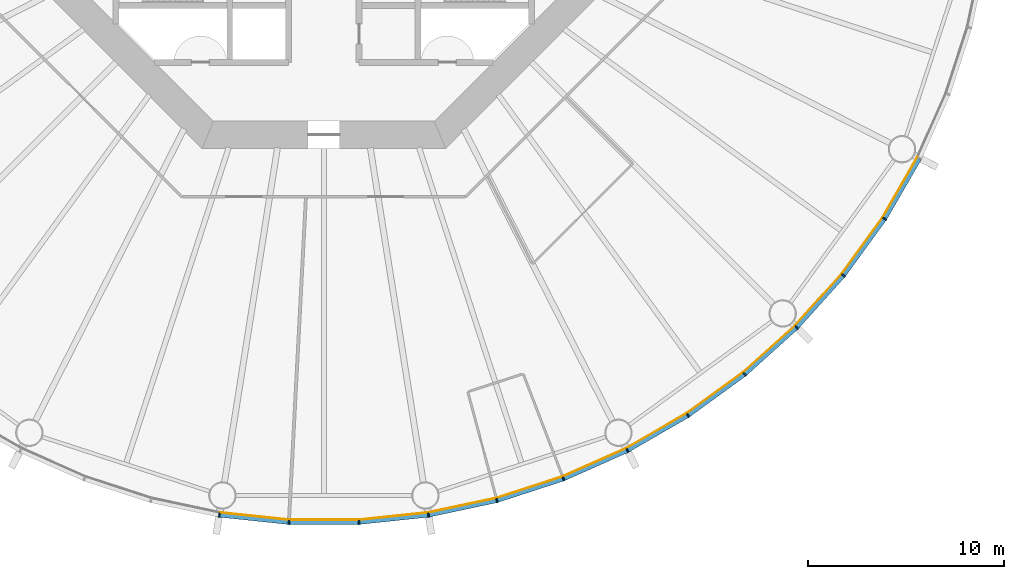
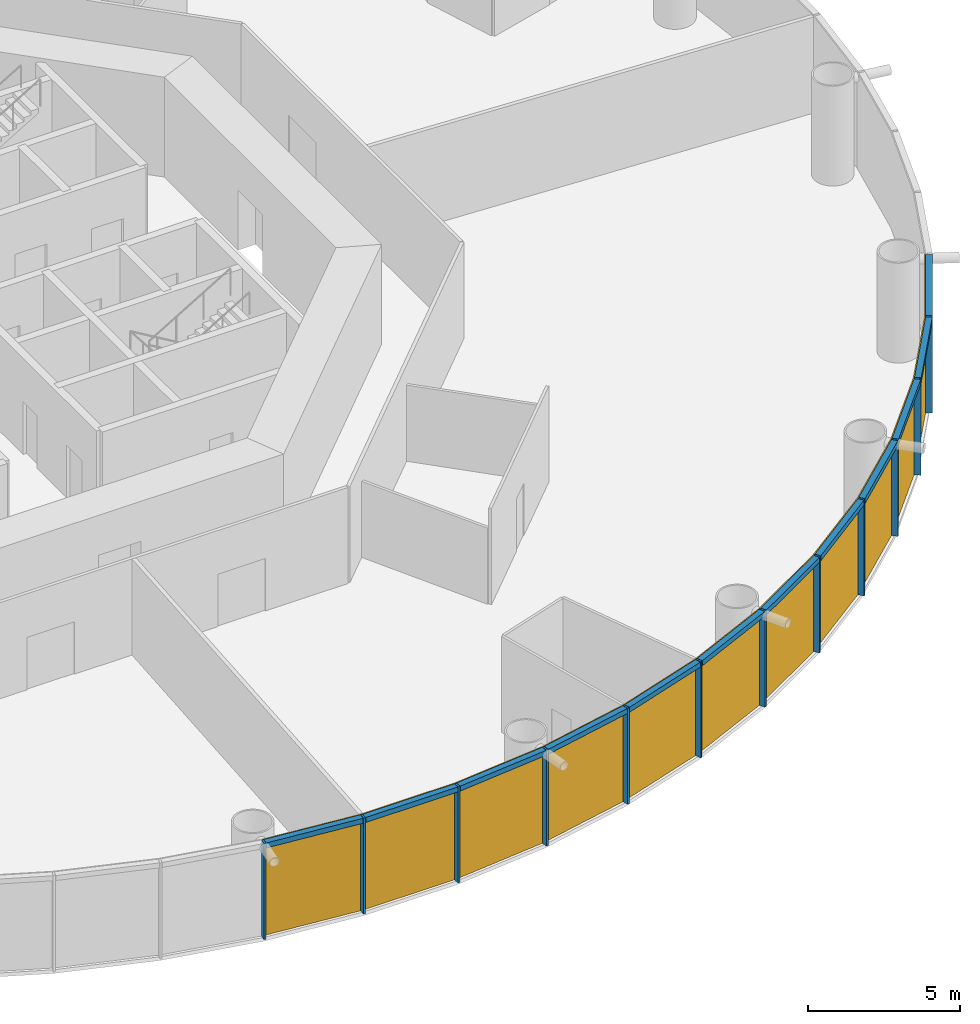
# One storey, part 7 of 12: 24 members, 4 curtain walls.
"""IFC4 building model written with IfcOpenShell, lengths in metres."""

import ifcopenshell
import ifcopenshell.guid

model = None  # the IFC model being written
_history = None  # IfcOwnerHistory: only IFC2X3 demands one
_inside = {}  # id of a spatial element -> (the spatial element, [elements in it])
_under = {}  # id of a project, library or spatial element -> (it, [spatial elements below it])
_declared = {}  # id of a project -> (the project, [libraries it declares])
_typed = {}  # id of a type object -> (the type object, [elements of that type])
_made_of = {}  # id of a material, layer set ... -> (it, [elements and type objects made of it])


def new_model(schema):
    """Start an empty IFC model of exactly this schema.

    Asked for "IFC4X3", IfcOpenShell would pick the latest addendum, in which some entities
    have other attributes; the version numbers below select the first issue.
    IFC2X3 requires an IfcOwnerHistory on every rooted entity: one is made here for all.
    """
    global model, _history
    if schema == "IFC4X3":
        model = ifcopenshell.file(schema_version=(4, 3, 0, 0))
    else:
        model = ifcopenshell.file(schema=schema)
    _inside.clear()
    _under.clear()
    _declared.clear()
    _typed.clear()
    _made_of.clear()
    _history = None
    if model.schema == "IFC2X3":
        org = make("IfcOrganization", Name="unknown")
        user = make(
            "IfcPersonAndOrganization",
            ThePerson=make("IfcPerson", FamilyName="unknown"),
            TheOrganization=org,
        )
        app = make(
            "IfcApplication",
            ApplicationDeveloper=org,
            Version="unknown",
            ApplicationFullName="unknown",
            ApplicationIdentifier="unknown",
        )
        _history = make(
            "IfcOwnerHistory",
            OwningUser=user,
            OwningApplication=app,
            ChangeAction="ADDED",
            CreationDate=0,
        )
    return model


def make(cls, **values):
    """One entity of the class cls with the attributes given. An attribute that is None is left unset."""
    return model.create_entity(
        cls, **{name: value for name, value in values.items() if value is not None}
    )


def rooted(cls, **values):
    """An entity with a GlobalId (a new one), such as an element, a storey or a relation."""
    return make(cls, GlobalId=ifcopenshell.guid.new(), OwnerHistory=_history, **values)


def si_unit(unit_type, name, prefix=None):
    """IfcSIUnit, for example si_unit("LENGTHUNIT", "METRE", prefix="MILLI")."""
    return make("IfcSIUnit", UnitType=unit_type, Prefix=prefix, Name=name)


def assignment(units):
    """IfcUnitAssignment: the units of a project."""
    return None if units is None else make("IfcUnitAssignment", Units=units)


def point(xyz):
    """IfcCartesianPoint."""
    return None if xyz is None else make("IfcCartesianPoint", Coordinates=xyz)


def direction(xyz):
    """IfcDirection."""
    return None if xyz is None else make("IfcDirection", DirectionRatios=xyz)


def frame(location, z_axis=None, x_axis=None):
    """IfcAxis2Placement3D, a coordinate frame: its origin and axes. An axis left out is left unset."""
    return make(
        "IfcAxis2Placement3D",
        Location=point(location),
        Axis=direction(z_axis),
        RefDirection=direction(x_axis),
    )


def frame_2d(location, x_axis=None):
    """IfcAxis2Placement2D, a coordinate frame in the plane: its origin and x axis."""
    return make(
        "IfcAxis2Placement2D", Location=point(location), RefDirection=direction(x_axis)
    )


def origin():
    """The frame at (0, 0, 0) with its axes left unset."""
    return frame((0.0, 0.0, 0.0))


def origin_2d():
    """The frame at (0, 0) in the plane with its x axis left unset."""
    return frame_2d((0.0, 0.0))


def place(relative_to, where):
    """IfcLocalPlacement: puts the frame where relative to a parent placement (None: the world)."""
    return make(
        "IfcLocalPlacement", PlacementRelTo=relative_to, RelativePlacement=where
    )


def context(
    kind, dimensions, precision=None, world=None, true_north=None, identifier=None
):
    """IfcGeometricRepresentationContext, for example the 3D "Model" context."""
    return make(
        "IfcGeometricRepresentationContext",
        ContextIdentifier=identifier,
        ContextType=kind,
        CoordinateSpaceDimension=dimensions,
        Precision=precision,
        WorldCoordinateSystem=world,
        TrueNorth=true_north,
    )


def subcontext(parent, identifier, kind, view, scale=None):
    """IfcGeometricRepresentationSubContext, for example "Body" below "Model"."""
    return make(
        "IfcGeometricRepresentationSubContext",
        ContextIdentifier=identifier,
        ContextType=kind,
        ParentContext=parent,
        TargetScale=scale,
        TargetView=view,
    )


def project(units=None, contexts=None):
    """IfcProject with its units and contexts."""
    return rooted(
        "IfcProject",
        Name="project",
        RepresentationContexts=contexts,
        UnitsInContext=assignment(units),
    )


def spatial(cls, under=None, at=None, **own):
    """A site, building, storey or space (cls), placed at a placement, below another one or the project."""
    s = rooted(cls, ObjectPlacement=at, **own)
    if under is not None:
        _under.setdefault(under.id(), (under, []))[1].append(s)
    return s


def polyline(points):
    """IfcPolyline through the points."""
    return make("IfcPolyline", Points=[point(p) for p in points])


def profile(cls, at=None, kind="AREA", **sizes):
    """A parametric profile (cls). Its sizes go by their IFC names, for example OverallWidth=200.0."""
    return make(cls, ProfileType=kind, Position=at, **sizes)


def rectangle(**sizes):
    """IfcRectangleProfileDef."""
    return profile("IfcRectangleProfileDef", **sizes)


def outline(outer, holes=None, kind="AREA"):
    """IfcArbitraryClosedProfileDef: a profile drawn as a closed curve; with holes, ...WithVoids."""
    if holes is None:
        return make("IfcArbitraryClosedProfileDef", ProfileType=kind, OuterCurve=outer)
    return make(
        "IfcArbitraryProfileDefWithVoids",
        ProfileType=kind,
        OuterCurve=outer,
        InnerCurves=holes,
    )


def extrude(swept, where, along, depth):
    """IfcExtrudedAreaSolid: the profile swept, set in the frame where, extruded along a direction by depth."""
    return make(
        "IfcExtrudedAreaSolid",
        SweptArea=swept,
        Position=where,
        ExtrudedDirection=direction(along),
        Depth=depth,
    )


def shape(context_of_items, identifier, shape_type, items):
    """IfcShapeRepresentation: the items that make up one representation, for example the "Body"."""
    return make(
        "IfcShapeRepresentation",
        ContextOfItems=context_of_items,
        RepresentationIdentifier=identifier,
        RepresentationType=shape_type,
        Items=items,
    )


def material(Name=None, Category=None):
    """IfcMaterial."""
    return make("IfcMaterial", Name=Name, Category=Category)


def layer(
    of_material, thickness, ventilated=None, Name=None, Category=None, Priority=None
):
    """IfcMaterialLayer: one layer of a wall or slab, of a material (None: an air gap)."""
    return make(
        "IfcMaterialLayer",
        Material=of_material,
        LayerThickness=thickness,
        IsVentilated=ventilated,
        Name=Name,
        Category=Category,
        Priority=Priority,
    )


def layer_set(layers, Name=None):
    """IfcMaterialLayerSet."""
    return make("IfcMaterialLayerSet", MaterialLayers=layers, LayerSetName=Name)


def material_profile(
    of_material, cross_section, Name=None, Category=None, Priority=None
):
    """IfcMaterialProfile: a cross section and its material."""
    return make(
        "IfcMaterialProfile",
        Name=Name,
        Material=of_material,
        Profile=cross_section,
        Priority=Priority,
        Category=Category,
    )


def profile_set(profiles, Name=None, composite=None):
    """IfcMaterialProfileSet."""
    return make(
        "IfcMaterialProfileSet",
        Name=Name,
        MaterialProfiles=profiles,
        CompositeProfile=composite,
    )


def made_of(thing, what):
    """Note that an element or type object is made of a material, layer set ...; save() writes the relation."""
    if what is not None:
        _made_of.setdefault(what.id(), (what, []))[1].append(thing)
    return thing


def type_object(cls, material=None, **own):
    """A type object (cls), such as IfcWallType, which elements share."""
    return made_of(rooted(cls, **own), material)


def element(
    cls,
    number,
    at=None,
    inside=None,
    cuts=None,
    type_object=None,
    material=None,
    context=None,
    identifier="Body",
    shape_type=None,
    held_by="IfcProductDefinitionShape",
    body=None,
    shapes=None,
    **own,
):
    """One element of the class cls, such as IfcWall. Its Tag is "e" and its number.

    at: its placement. inside: the storey or other place that contains it. cuts: it is an
    opening in that element (IfcRelVoidsElement). A single representation is given by context,
    identifier, shape_type and body (its items); several are given by shapes. held_by: the class
    of the entity that holds the representations. save() writes the other relations.
    """
    e = rooted(cls, Tag="e%d" % number, ObjectPlacement=at, **own)
    if body is not None:
        shapes = [shape(context, identifier, shape_type, body)]
    if shapes is not None:
        e.Representation = make(held_by, Representations=shapes)
    if inside is not None:
        _inside.setdefault(inside.id(), (inside, []))[1].append(e)
    if cuts is not None:
        rooted(
            "IfcRelVoidsElement", RelatingBuildingElement=cuts, RelatedOpeningElement=e
        )
    if type_object is not None:
        _typed.setdefault(type_object.id(), (type_object, []))[1].append(e)
    return made_of(e, material)


def aggregate(whole, parts):
    """IfcRelAggregates: a whole, such as a stair, and the parts it consists of."""
    return rooted("IfcRelAggregates", RelatingObject=whole, RelatedObjects=parts)


def save(model, path):
    """Write the relations noted so far, then the file.

    IfcRelAggregates (storeys below a building ...), IfcRelContainedInSpatialStructure (elements
    in a storey), IfcRelDefinesByType, IfcRelAssociatesMaterial and IfcRelDeclares: one each for
    every whole, place, type object, material and project.
    """
    for whole, parts in _under.values():
        aggregate(whole, parts)
    for where, things in _inside.values():
        rooted(
            "IfcRelContainedInSpatialStructure",
            RelatedElements=things,
            RelatingStructure=where,
        )
    for kind, things in _typed.values():
        rooted("IfcRelDefinesByType", RelatedObjects=things, RelatingType=kind)
    for what, things in _made_of.values():
        rooted("IfcRelAssociatesMaterial", RelatedObjects=things, RelatingMaterial=what)
    for by, libraries in _declared.values():
        rooted("IfcRelDeclares", RelatingContext=by, RelatedDefinitions=libraries)
    model.write(path)


model = new_model("IFC4")

# Units and contexts
model_context = context("Model", 3, precision=1e-05, world=origin(), true_north=direction((0.0, 1.0)))
body_context = subcontext(model_context, "Body", "Model", "MODEL_VIEW")
ifc_project = project(units=[si_unit("LENGTHUNIT", "METRE"), si_unit("AREAUNIT", "SQUARE_METRE"), si_unit("VOLUMEUNIT", "CUBIC_METRE"), si_unit("PLANEANGLEUNIT", "RADIAN"), si_unit("MASSUNIT", "GRAM", prefix="KILO")], contexts=[model_context])

# Member
ifc_material_1 = material(Name="Anodised aluminium", Category="aluminium")
ifc_material_profile_1 = material_profile(ifc_material_1, rectangle(XDim=0.074951171875, YDim=0.219970703125, at=origin_2d()), Name="Mullion 75 x 220 mm anodised aluminium")
ifc_profile_set_1 = profile_set([ifc_material_profile_1], Name="Anodised aluminium")
member_type_1 = type_object("IfcMemberType", Name="Mullion 75 x 220 mm anodised aluminium", PredefinedType="MULLION", material=ifc_profile_set_1)
site_placement = place(None, origin())
building_placement = place(site_placement, origin())
storey_placement = place(building_placement, frame((0.0, 0.0, 70.0)))
member_1_placement = place(storey_placement, frame((84.6640625, 46.31005859375, 0.0), z_axis=(0.0, 0.0, 1.0), x_axis=(0.987688340595, -0.15643446504, 0.0)))
member_1 = element("IfcMember", 1, at=member_1_placement, type_object=member_type_1, Name="MULLION L15-42", PredefinedType="MULLION", context=body_context, shape_type="SweptSolid", body=[
    extrude(rectangle(XDim=0.074951171875, YDim=0.219970703125, at=origin_2d()), origin(), (0.0, 0.0, 1.0), 3.85009765625),
])

member_2_placement = place(storey_placement, frame((88.21484375, 45.936767578125, 0.0), z_axis=(0.0, 0.0, 1.0), x_axis=(0.998629534755, -0.052335956243, 0.0)))
member_2 = element("IfcMember", 2, at=member_2_placement, type_object=member_type_1, Name="MULLION L15-43", PredefinedType="MULLION", context=body_context, shape_type="SweptSolid", body=[
    extrude(rectangle(XDim=0.074951171875, YDim=0.219970703125, at=origin_2d()), origin(), (0.0, 0.0, 1.0), 3.85009765625),
])

member_3_placement = place(storey_placement, frame((91.78515625, 45.936767578125, 0.0), z_axis=(0.0, 0.0, 1.0), x_axis=(0.998629534755, 0.052335956243, 0.0)))
member_3 = element("IfcMember", 3, at=member_3_placement, type_object=member_type_1, Name="MULLION L15-44", PredefinedType="MULLION", context=body_context, shape_type="SweptSolid", body=[
    extrude(rectangle(XDim=0.074951171875, YDim=0.219970703125, at=origin_2d()), origin(), (0.0, 0.0, 1.0), 3.85009765625),
])

member_4_placement = place(storey_placement, frame((95.3359375, 46.31005859375, 0.0), z_axis=(0.0, 0.0, 1.0), x_axis=(0.987688340595, 0.15643446504, 0.0)))
member_4 = element("IfcMember", 4, at=member_4_placement, type_object=member_type_1, Name="MULLION L15-45", PredefinedType="MULLION", context=body_context, shape_type="SweptSolid", body=[
    extrude(rectangle(XDim=0.074951171875, YDim=0.219970703125, at=origin_2d()), origin(), (0.0, 0.0, 1.0), 3.85009765625),
])

member_5_placement = place(storey_placement, frame((98.828369140625, 47.05224609375, 0.0), z_axis=(0.0, 0.0, 1.0), x_axis=(0.965925826289, 0.258819045103, 0.0)))
member_5 = element("IfcMember", 5, at=member_5_placement, type_object=member_type_1, Name="MULLION L15-46", PredefinedType="MULLION", context=body_context, shape_type="SweptSolid", body=[
    extrude(rectangle(XDim=0.074951171875, YDim=0.219970703125, at=origin_2d()), origin(), (0.0, 0.0, 1.0), 3.85009765625),
])

member_6_placement = place(storey_placement, frame((102.223876953125, 48.155517578125, 0.0), z_axis=(0.0, 0.0, 1.0), x_axis=(0.933580426497, 0.358367949545, 0.0)))
member_6 = element("IfcMember", 6, at=member_6_placement, type_object=member_type_1, Name="MULLION L15-47", PredefinedType="MULLION", context=body_context, shape_type="SweptSolid", body=[
    extrude(rectangle(XDim=0.074951171875, YDim=0.219970703125, at=origin_2d()), origin(), (0.0, 0.0, 1.0), 3.85009765625),
])

member_7_placement = place(storey_placement, frame((105.485595703125, 49.607666015625, 0.0), z_axis=(0.0, 0.0, 1.0), x_axis=(0.891006524188, 0.45399049974, 0.0)))
member_7 = element("IfcMember", 7, at=member_7_placement, type_object=member_type_1, Name="MULLION L15-48", PredefinedType="MULLION", context=body_context, shape_type="SweptSolid", body=[
    extrude(rectangle(XDim=0.074951171875, YDim=0.219970703125, at=origin_2d()), origin(), (0.0, 0.0, 1.0), 3.85009765625),
])

member_8_placement = place(storey_placement, frame((108.57763671875, 51.39306640625, 0.0), z_axis=(0.0, 0.0, 1.0), x_axis=(0.838670567945, 0.544639035015, 0.0)))
member_8 = element("IfcMember", 8, at=member_8_placement, type_object=member_type_1, Name="MULLION L15-49", PredefinedType="MULLION", context=body_context, shape_type="SweptSolid", body=[
    extrude(rectangle(XDim=0.074951171875, YDim=0.219970703125, at=origin_2d()), origin(), (0.0, 0.0, 1.0), 3.85009765625),
])

member_9_placement = place(storey_placement, frame((111.466064453125, 53.491455078125, 0.0), z_axis=(0.0, 0.0, 1.0), x_axis=(0.777145961457, 0.62932039105, 0.0)))
member_9 = element("IfcMember", 9, at=member_9_placement, type_object=member_type_1, Name="MULLION L15-50", PredefinedType="MULLION", context=body_context, shape_type="SweptSolid", body=[
    extrude(rectangle(XDim=0.074951171875, YDim=0.219970703125, at=origin_2d()), origin(), (0.0, 0.0, 1.0), 3.85009765625),
])

member_10_placement = place(storey_placement, frame((114.119384765625, 55.880615234375, 0.0), z_axis=(0.0, 0.0, 1.0), x_axis=(0.707106781187, 0.707106781187, 0.0)))
member_10 = element("IfcMember", 10, at=member_10_placement, type_object=member_type_1, Name="MULLION L15-51", PredefinedType="MULLION", context=body_context, shape_type="SweptSolid", body=[
    extrude(rectangle(XDim=0.074951171875, YDim=0.219970703125, at=origin_2d()), origin(), (0.0, 0.0, 1.0), 3.85009765625),
])

member_11_placement = place(storey_placement, frame((116.508544921875, 58.533935546875, 0.0), z_axis=(0.0, 0.0, 1.0), x_axis=(0.62932039105, 0.777145961457, 0.0)))
member_11 = element("IfcMember", 11, at=member_11_placement, type_object=member_type_1, Name="MULLION L15-52", PredefinedType="MULLION", context=body_context, shape_type="SweptSolid", body=[
    extrude(rectangle(XDim=0.074951171875, YDim=0.219970703125, at=origin_2d()), origin(), (0.0, 0.0, 1.0), 3.85009765625),
])

member_12_placement = place(storey_placement, frame((118.60693359375, 61.42236328125, 0.0), z_axis=(0.0, 0.0, 1.0), x_axis=(0.544639035015, 0.838670567945, 0.0)))
member_12 = element("IfcMember", 12, at=member_12_placement, type_object=member_type_1, Name="MULLION L15-53", PredefinedType="MULLION", context=body_context, shape_type="SweptSolid", body=[
    extrude(rectangle(XDim=0.074951171875, YDim=0.219970703125, at=origin_2d()), origin(), (0.0, 0.0, 1.0), 3.85009765625),
])

ifc_material_2 = material(Name="Anodised aluminium", Category="aluminium")
ifc_material_profile_2 = material_profile(ifc_material_2, rectangle(XDim=0.219970703125, YDim=0.199951171875, at=origin_2d()), Name="Transom 200 x 220 mm anodised aluminium")
ifc_profile_set_2 = profile_set([ifc_material_profile_2], Name="Anodised aluminium")
member_type_2 = type_object("IfcMemberType", Name="Transom 200 x 220 mm anodised aluminium", PredefinedType="USERDEFINED", material=ifc_profile_set_2)
member_13_placement = place(storey_placement, frame((84.70703125, 46.30517578125, 3.75), z_axis=(0.994526551648, -0.104484152234, 0.0), x_axis=(0.104484152234, 0.994526551648, 0.0)))
member_13 = element("IfcMember", 13, at=member_13_placement, type_object=member_type_2, Name="TRANSOM L15-42", ObjectType="TRANSOM", PredefinedType="USERDEFINED", context=body_context, shape_type="SweptSolid", body=[
    extrude(rectangle(XDim=0.219970703125, YDim=0.199951171875, at=origin_2d()), origin(), (0.0, 0.0, 1.0), 3.48388671875),
])

member_14_placement = place(storey_placement, frame((88.258056640625, 45.9365234375, 3.75), z_axis=(1.0, 0.0, 0.0), x_axis=(0.0, 1.0, 0.0)))
member_14 = element("IfcMember", 14, at=member_14_placement, type_object=member_type_2, Name="TRANSOM L15-43", ObjectType="TRANSOM", PredefinedType="USERDEFINED", context=body_context, shape_type="SweptSolid", body=[
    extrude(rectangle(XDim=0.219970703125, YDim=0.199951171875, at=origin_2d()), origin(), (0.0, 0.0, 1.0), 3.48388671875),
])

member_15_placement = place(storey_placement, frame((91.828125, 45.941162109375, 3.75), z_axis=(0.994526551648, 0.104484152234, 0.0), x_axis=(-0.104484152234, 0.994526551648, 0.0)))
member_15 = element("IfcMember", 15, at=member_15_placement, type_object=member_type_2, Name="TRANSOM L15-44", ObjectType="TRANSOM", PredefinedType="USERDEFINED", context=body_context, shape_type="SweptSolid", body=[
    extrude(rectangle(XDim=0.219970703125, YDim=0.199951171875, at=origin_2d()), origin(), (0.0, 0.0, 1.0), 3.48388671875),
])

member_16_placement = place(storey_placement, frame((95.37841796875, 46.31884765625, 3.75), z_axis=(0.978145669426, 0.207920776701, 0.0), x_axis=(-0.207920776701, 0.978145669426, 0.0)))
member_16 = element("IfcMember", 16, at=member_16_placement, type_object=member_type_2, Name="TRANSOM L15-45", ObjectType="TRANSOM", PredefinedType="USERDEFINED", context=body_context, shape_type="SweptSolid", body=[
    extrude(rectangle(XDim=0.219970703125, YDim=0.199951171875, at=origin_2d()), origin(), (0.0, 0.0, 1.0), 3.48388671875),
])

member_17_placement = place(storey_placement, frame((98.869384765625, 47.0654296875, 3.75), z_axis=(0.951052605696, 0.309029029702, 0.0), x_axis=(-0.309029029702, 0.951052605696, 0.0)))
member_17 = element("IfcMember", 17, at=member_17_placement, type_object=member_type_2, Name="TRANSOM L15-46", ObjectType="TRANSOM", PredefinedType="USERDEFINED", context=body_context, shape_type="SweptSolid", body=[
    extrude(rectangle(XDim=0.219970703125, YDim=0.199951171875, at=origin_2d()), origin(), (0.0, 0.0, 1.0), 3.484130859375),
])

member_18_placement = place(storey_placement, frame((102.263427734375, 48.173095703125, 3.75), z_axis=(0.913545487371, 0.406736576304, 0.0), x_axis=(-0.406736576304, 0.913545487371, 0.0)))
member_18 = element("IfcMember", 18, at=member_18_placement, type_object=member_type_2, Name="TRANSOM L15-47", ObjectType="TRANSOM", PredefinedType="USERDEFINED", context=body_context, shape_type="SweptSolid", body=[
    extrude(rectangle(XDim=0.219970703125, YDim=0.199951171875, at=origin_2d()), origin(), (0.0, 0.0, 1.0), 3.48388671875),
])

member_19_placement = place(storey_placement, frame((105.523193359375, 49.629150390625, 3.75), z_axis=(0.866022206254, 0.500005538244, 0.0), x_axis=(-0.500005538244, 0.866022206254, 0.0)))
member_19 = element("IfcMember", 19, at=member_19_placement, type_object=member_type_2, Name="TRANSOM L15-48", ObjectType="TRANSOM", PredefinedType="USERDEFINED", context=body_context, shape_type="SweptSolid", body=[
    extrude(rectangle(XDim=0.219970703125, YDim=0.199951171875, at=origin_2d()), origin(), (0.0, 0.0, 1.0), 3.48388671875),
])

member_20_placement = place(storey_placement, frame((108.61279296875, 51.418212890625, 3.75), z_axis=(0.80899056535, 0.587821627006, 0.0), x_axis=(-0.587821627006, 0.80899056535, 0.0)))
member_20 = element("IfcMember", 20, at=member_20_placement, type_object=member_type_2, Name="TRANSOM L15-49", ObjectType="TRANSOM", PredefinedType="USERDEFINED", context=body_context, shape_type="SweptSolid", body=[
    extrude(rectangle(XDim=0.219970703125, YDim=0.199951171875, at=origin_2d()), origin(), (0.0, 0.0, 1.0), 3.48388671875),
])

member_21_placement = place(storey_placement, frame((111.498291015625, 53.520263671875, 3.75), z_axis=(0.743137329876, 0.669138930974, 0.0), x_axis=(-0.669138930974, 0.743137329876, 0.0)))
member_21 = element("IfcMember", 21, at=member_21_placement, type_object=member_type_2, Name="TRANSOM L15-50", ObjectType="TRANSOM", PredefinedType="USERDEFINED", context=body_context, shape_type="SweptSolid", body=[
    extrude(rectangle(XDim=0.219970703125, YDim=0.199951171875, at=origin_2d()), origin(), (0.0, 0.0, 1.0), 3.484130859375),
])

member_22_placement = place(storey_placement, frame((114.1484375, 55.91259765625, 3.75), z_axis=(0.669138930974, 0.743137329876, 0.0), x_axis=(-0.743137329876, 0.669138930974, 0.0)))
member_22 = element("IfcMember", 22, at=member_22_placement, type_object=member_type_2, Name="TRANSOM L15-51", ObjectType="TRANSOM", PredefinedType="USERDEFINED", context=body_context, shape_type="SweptSolid", body=[
    extrude(rectangle(XDim=0.219970703125, YDim=0.199951171875, at=origin_2d()), origin(), (0.0, 0.0, 1.0), 3.484130859375),
])

member_23_placement = place(storey_placement, frame((116.533935546875, 58.56884765625, 3.75), z_axis=(0.587821627006, 0.80899056535, 0.0), x_axis=(-0.80899056535, 0.587821627006, 0.0)))
member_23 = element("IfcMember", 23, at=member_23_placement, type_object=member_type_2, Name="TRANSOM L15-52", ObjectType="TRANSOM", PredefinedType="USERDEFINED", context=body_context, shape_type="SweptSolid", body=[
    extrude(rectangle(XDim=0.219970703125, YDim=0.199951171875, at=origin_2d()), origin(), (0.0, 0.0, 1.0), 3.48388671875),
])

member_24_placement = place(storey_placement, frame((118.62890625, 61.459716796875, 3.75), z_axis=(0.500005538244, 0.866022206254, 0.0), x_axis=(-0.866022206254, 0.500005538244, 0.0)))
member_24 = element("IfcMember", 24, at=member_24_placement, type_object=member_type_2, Name="TRANSOM L15-53", ObjectType="TRANSOM", PredefinedType="USERDEFINED", context=body_context, shape_type="SweptSolid", body=[
    extrude(rectangle(XDim=0.219970703125, YDim=0.199951171875, at=origin_2d()), origin(), (0.0, 0.0, 1.0), 3.48388671875),
])

# Site, building, storey
site = spatial("IfcSite", under=ifc_project, at=site_placement, CompositionType="ELEMENT")
building = spatial("IfcBuilding", under=site, at=building_placement, Name="Entoto Ring Tower", CompositionType="ELEMENT")
storey = spatial("IfcBuildingStorey", under=building, at=storey_placement, Name="L15", CompositionType="ELEMENT", Elevation=70.0)

# Curtain wall
ifc_material_3 = material(Name="Clear low-iron glass", Category="glass")
ifc_layer = layer(ifc_material_3, 0.0400390625)
ifc_layer_set = layer_set([ifc_layer], Name="Clear low-iron glass")
curtain_wall_type = type_object("IfcCurtainWallType", Name="Curtain wall system CW1 glazing 40 mm", PredefinedType="NOTDEFINED", material=ifc_layer_set)
curtain_wall_1_placement = place(storey_placement, origin())
curtain_wall_1 = element("IfcCurtainWall", 25, at=curtain_wall_1_placement, inside=storey, type_object=curtain_wall_type, Name="CW1 L15-15", PredefinedType="NOTDEFINED", context=body_context, shape_type="SweptSolid", body=[
    extrude(outline(polyline([(84.68115234375, 46.418701171875), (88.220458984375, 46.046630859375), (91.779541015625, 46.046630859375), (95.31884765625, 46.418701171875), (95.3125, 46.458251953125), (91.77734375, 46.086669921875), (88.22265625, 46.086669921875), (84.6875, 46.458251953125), (84.68115234375, 46.418701171875)])), origin(), (0.0, 0.0, 1.0), 3.85009765625),
])

aggregate(curtain_wall_1, [member_1, member_2, member_3, member_13, member_14, member_15])

curtain_wall_2_placement = place(storey_placement, origin())
curtain_wall_2 = element("IfcCurtainWall", 26, at=curtain_wall_2_placement, inside=storey, type_object=curtain_wall_type, Name="CW1 L15-16", PredefinedType="NOTDEFINED", context=body_context, shape_type="SweptSolid", body=[
    extrude(outline(polyline([(95.31884765625, 46.418701171875), (98.7998046875, 47.158447265625), (102.1845703125, 48.25830078125), (105.435791015625, 49.705810546875), (105.41748046875, 49.741455078125), (102.170166015625, 48.295654296875), (98.78955078125, 47.197265625), (95.3125, 46.458251953125), (95.31884765625, 46.418701171875)])), origin(), (0.0, 0.0, 1.0), 3.85009765625),
])

aggregate(curtain_wall_2, [member_4, member_5, member_6, member_16, member_17, member_18])

curtain_wall_3_placement = place(storey_placement, origin())
curtain_wall_3 = element("IfcCurtainWall", 27, at=curtain_wall_3_placement, inside=storey, type_object=curtain_wall_type, Name="CW1 L15-17", PredefinedType="NOTDEFINED", context=body_context, shape_type="SweptSolid", body=[
    extrude(outline(polyline([(105.435791015625, 49.705810546875), (108.517822265625, 51.485107421875), (111.39697265625, 53.5771484375), (114.041748046875, 55.958251953125), (114.013427734375, 55.986572265625), (111.37158203125, 53.608154296875), (108.495849609375, 51.518798828125), (105.41748046875, 49.741455078125), (105.435791015625, 49.705810546875)])), origin(), (0.0, 0.0, 1.0), 3.85009765625),
])

aggregate(curtain_wall_3, [member_7, member_8, member_9, member_19, member_20, member_21])

curtain_wall_4_placement = place(storey_placement, origin())
curtain_wall_4 = element("IfcCurtainWall", 28, at=curtain_wall_4_placement, inside=storey, type_object=curtain_wall_type, Name="CW1 L15-18", PredefinedType="NOTDEFINED", context=body_context, shape_type="SweptSolid", body=[
    extrude(outline(polyline([(114.041748046875, 55.958251953125), (116.4228515625, 58.60302734375), (118.514892578125, 61.482177734375), (120.294189453125, 64.564208984375), (120.258544921875, 64.58251953125), (118.481201171875, 61.504150390625), (116.391845703125, 58.62841796875), (114.013427734375, 55.986572265625), (114.041748046875, 55.958251953125)])), origin(), (0.0, 0.0, 1.0), 3.85009765625),
])

aggregate(curtain_wall_4, [member_10, member_11, member_12, member_22, member_23, member_24])

save(model, "model.ifc")
